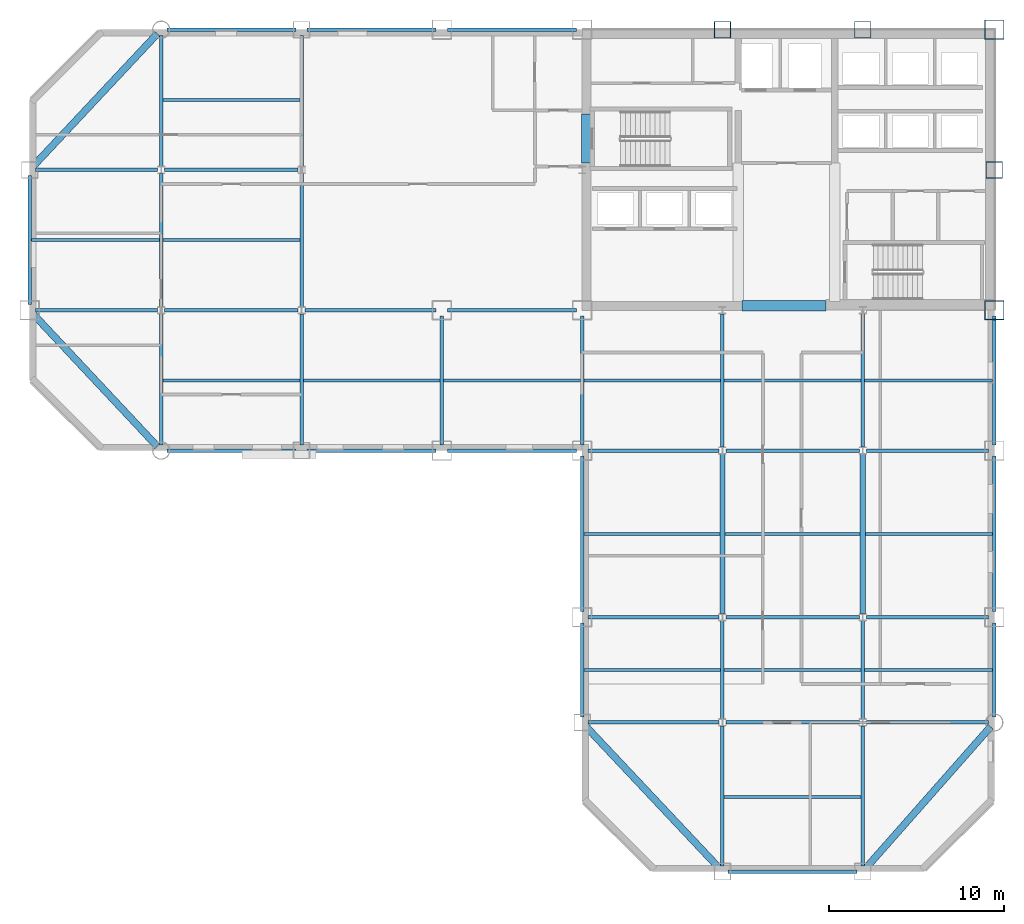
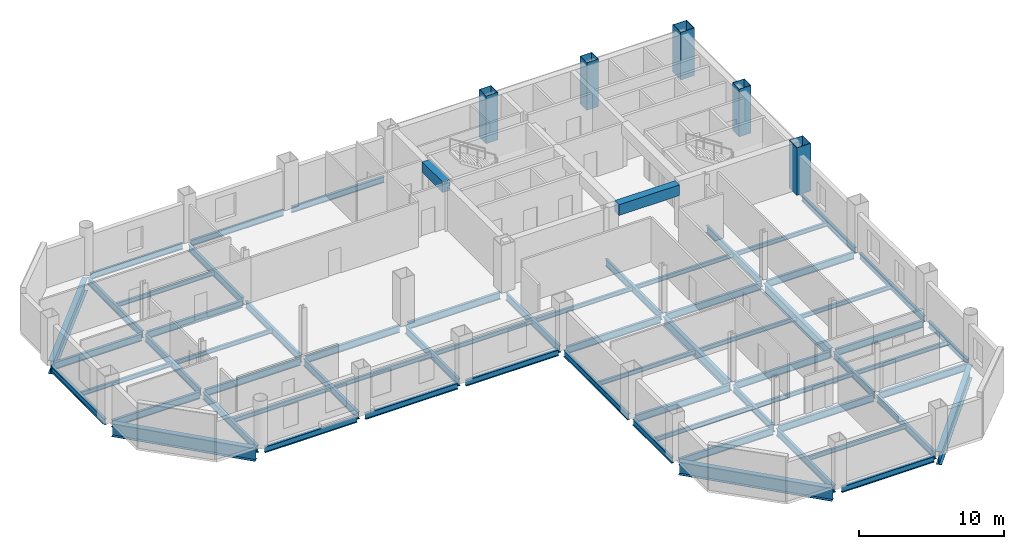
# One storey, part 4 of 10: 66 beams, 5 columns.
"""IFC4 building model written with IfcOpenShell, lengths in metres."""

from ifc_helpers import new_model, si_unit, direction, frame, origin, origin_2d, place, context, subcontext, project, spatial, rectangle, hollow_rectangle, i_section, extrude, material, material_profile, profile_set, type_object, element, save


model = new_model("IFC4")

# Units and contexts
model_context = context("Model", 3, precision=1e-05, world=origin(), true_north=direction((0.0, 1.0)))
body_context = subcontext(model_context, "Body", "Model", "MODEL_VIEW")
ifc_project = project(units=[si_unit("LENGTHUNIT", "METRE"), si_unit("AREAUNIT", "SQUARE_METRE"), si_unit("VOLUMEUNIT", "CUBIC_METRE"), si_unit("PLANEANGLEUNIT", "RADIAN"), si_unit("MASSUNIT", "GRAM", prefix="KILO")], contexts=[model_context])

# Site, building, storey
site_placement = place(None, origin())
site = spatial("IfcSite", under=ifc_project, at=site_placement, CompositionType="ELEMENT")
building_placement = place(site_placement, origin())
building = spatial("IfcBuilding", under=site, at=building_placement, Name="Qianrong Seaharbour Tower", CompositionType="ELEMENT")
storey_placement = place(building_placement, frame((0.0, 0.0, 159.0)))
storey = spatial("IfcBuildingStorey", under=building, at=storey_placement, Name="L38", CompositionType="ELEMENT", Elevation=159.0)

# Columns
ifc_material_1 = material(Name="Structural steel SN490B", Category="steel")
ifc_material_profile_1 = material_profile(ifc_material_1, hollow_rectangle(XDim=1.10009765625, YDim=1.10009765625, WallThickness=0.0400390625, at=origin_2d()), Name="BOX1100x1100x40")
ifc_profile_set_1 = profile_set([ifc_material_profile_1], Name="Structural steel SN490B")
column_type_1 = type_object("IfcColumnType", Name="COL-CFT-1100", PredefinedType="COLUMN", material=ifc_profile_set_1)
for number, where, z_axis, x_axis, name in (
    (1, (64.0, 36.0, 0.0), (0.0, 0.0, 1.0), (1.0, 0.0, 0.0), "L38 Column MC-3 at G9/GF"),
    (2, (64.0, 52.0, 0.0), (0.0, 0.0, 1.0), (1.0, 0.0, 0.0), "L38 Column MC-3 at G9/GH"),
):
    element("IfcColumn", number, at=place(storey_placement, frame(where, z_axis=z_axis, x_axis=x_axis)), inside=storey, type_object=column_type_1, Name=name, PredefinedType="COLUMN", context=body_context, shape_type="SweptSolid", body=[
        extrude(hollow_rectangle(XDim=1.10009765625, YDim=1.10009765625, WallThickness=0.0400390625, at=origin_2d()), origin(), (0.0, 0.0, 1.0), 4.0),
    ])
ifc_material_profile_2 = material_profile(ifc_material_1, hollow_rectangle(XDim=0.949951171875, YDim=0.949951171875, WallThickness=0.035888671875, at=origin_2d()), Name="BOX950x950x36")
ifc_profile_set_2 = profile_set([ifc_material_profile_2], Name="Structural steel SN490B")
column_type_2 = type_object("IfcColumnType", Name="COL-PER-950", PredefinedType="COLUMN", material=ifc_profile_set_2)
for number, where, z_axis, x_axis, name in (
    (3, (48.5, 52.0, 0.0), (0.0, 0.0, 1.0), (1.0, 0.0, 0.0), "L38 Column PC-2 at G7/GH"),
    (4, (56.5, 52.0, 0.0), (0.0, 0.0, 1.0), (1.0, 0.0, 0.0), "L38 Column PC-2 at G8/GH"),
    (5, (64.0, 44.0, 0.0), (0.0, 0.0, 1.0), (1.0, 0.0, 0.0), "L38 Column PC-2 at G9/GG"),
):
    element("IfcColumn", number, at=place(storey_placement, frame(where, z_axis=z_axis, x_axis=x_axis)), inside=storey, type_object=column_type_2, Name=name, PredefinedType="COLUMN", context=body_context, shape_type="SweptSolid", body=[
        extrude(hollow_rectangle(XDim=0.949951171875, YDim=0.949951171875, WallThickness=0.035888671875, at=origin_2d()), origin(), (0.0, 0.0, 1.0), 4.0),
    ])

# Beams
ifc_material_profile_3 = material_profile(ifc_material_1, i_section(OverallWidth=0.199951171875, OverallDepth=0.60009765625, WebThickness=0.010986328125, FlangeThickness=0.01708984375, FilletRadius=0.02197265625, at=origin_2d()), Name="H600x200x11x17")
ifc_profile_set_3 = profile_set([ifc_material_profile_3], Name="Structural steel SN490B")
beam_type_1 = type_object("IfcBeamType", Name="BM-G-600", PredefinedType="BEAM", material=ifc_profile_set_3)
beam_1_placement = place(storey_placement, frame((40.820068359375, 12.5, -0.534912109375), z_axis=(1.0, 0.0, 0.0), x_axis=(0.0, 1.0, 0.0)))
element("IfcBeam", 6, at=beam_1_placement, inside=storey, type_object=beam_type_1, Name="L38 Primary Girder GC G6-G7", PredefinedType="BEAM", context=body_context, shape_type="SweptSolid", body=[
    extrude(i_section(OverallWidth=0.199951171875, OverallDepth=0.60009765625, WebThickness=0.010986328125, FlangeThickness=0.01708984375, FilletRadius=0.02197265625, at=origin_2d()), origin(), (0.0, 0.0, 1.0), 7.47998046875),
])
beam_2_placement = place(storey_placement, frame((48.699951171875, 12.5, -0.534912109375), z_axis=(1.0, 0.0, 0.0), x_axis=(0.0, 1.0, 0.0)))
element("IfcBeam", 7, at=beam_2_placement, inside=storey, type_object=beam_type_1, Name="L38 Primary Girder GC G7-G8", PredefinedType="BEAM", context=body_context, shape_type="SweptSolid", body=[
    extrude(i_section(OverallWidth=0.199951171875, OverallDepth=0.60009765625, WebThickness=0.010986328125, FlangeThickness=0.01708984375, FilletRadius=0.02197265625, at=origin_2d()), origin(), (0.0, 0.0, 1.0), 7.60009765625),
])
beam_3_placement = place(storey_placement, frame((56.699951171875, 12.5, -0.534912109375), z_axis=(1.0, 0.0, 0.0), x_axis=(0.0, 1.0, 0.0)))
element("IfcBeam", 8, at=beam_3_placement, inside=storey, type_object=beam_type_1, Name="L38 Primary Girder GC G8-G9", PredefinedType="BEAM", context=body_context, shape_type="SweptSolid", body=[
    extrude(i_section(OverallWidth=0.199951171875, OverallDepth=0.60009765625, WebThickness=0.010986328125, FlangeThickness=0.01708984375, FilletRadius=0.02197265625, at=origin_2d()), origin(), (0.0, 0.0, 1.0), 6.97998046875),
])
beam_4_placement = place(storey_placement, frame((40.820068359375, 18.5, -0.534912109375), z_axis=(1.0, 0.0, 0.0), x_axis=(0.0, 1.0, 0.0)))
element("IfcBeam", 9, at=beam_4_placement, inside=storey, type_object=beam_type_1, Name="L38 Primary Girder GD G6-G7", PredefinedType="BEAM", context=body_context, shape_type="SweptSolid", body=[
    extrude(i_section(OverallWidth=0.199951171875, OverallDepth=0.60009765625, WebThickness=0.010986328125, FlangeThickness=0.01708984375, FilletRadius=0.02197265625, at=origin_2d()), origin(), (0.0, 0.0, 1.0), 7.47998046875),
])
beam_5_placement = place(storey_placement, frame((48.699951171875, 18.5, -0.534912109375), z_axis=(1.0, 0.0, 0.0), x_axis=(0.0, 1.0, 0.0)))
element("IfcBeam", 10, at=beam_5_placement, inside=storey, type_object=beam_type_1, Name="L38 Primary Girder GD G7-G8", PredefinedType="BEAM", context=body_context, shape_type="SweptSolid", body=[
    extrude(i_section(OverallWidth=0.199951171875, OverallDepth=0.60009765625, WebThickness=0.010986328125, FlangeThickness=0.01708984375, FilletRadius=0.02197265625, at=origin_2d()), origin(), (0.0, 0.0, 1.0), 7.60009765625),
])
beam_6_placement = place(storey_placement, frame((56.699951171875, 18.5, -0.534912109375), z_axis=(1.0, 0.0, 0.0), x_axis=(0.0, 1.0, 0.0)))
element("IfcBeam", 11, at=beam_6_placement, inside=storey, type_object=beam_type_1, Name="L38 Primary Girder GD G8-G9", PredefinedType="BEAM", context=body_context, shape_type="SweptSolid", body=[
    extrude(i_section(OverallWidth=0.199951171875, OverallDepth=0.60009765625, WebThickness=0.010986328125, FlangeThickness=0.01708984375, FilletRadius=0.02197265625, at=origin_2d()), origin(), (0.0, 0.0, 1.0), 6.97998046875),
])
beam_7_placement = place(storey_placement, frame((40.820068359375, 28.0, -0.534912109375), z_axis=(1.0, 0.0, 0.0), x_axis=(0.0, 1.0, 0.0)))
element("IfcBeam", 12, at=beam_7_placement, inside=storey, type_object=beam_type_1, Name="L38 Primary Girder GE G6-G7", PredefinedType="BEAM", context=body_context, shape_type="SweptSolid", body=[
    extrude(i_section(OverallWidth=0.199951171875, OverallDepth=0.60009765625, WebThickness=0.010986328125, FlangeThickness=0.01708984375, FilletRadius=0.02197265625, at=origin_2d()), origin(), (0.0, 0.0, 1.0), 7.47998046875),
])
beam_8_placement = place(storey_placement, frame((48.699951171875, 28.0, -0.534912109375), z_axis=(1.0, 0.0, 0.0), x_axis=(0.0, 1.0, 0.0)))
element("IfcBeam", 13, at=beam_8_placement, inside=storey, type_object=beam_type_1, Name="L38 Primary Girder GE G7-G8", PredefinedType="BEAM", context=body_context, shape_type="SweptSolid", body=[
    extrude(i_section(OverallWidth=0.199951171875, OverallDepth=0.60009765625, WebThickness=0.010986328125, FlangeThickness=0.01708984375, FilletRadius=0.02197265625, at=origin_2d()), origin(), (0.0, 0.0, 1.0), 7.60009765625),
])
for number, where, z_axis, x_axis, name in (
    (14, (56.699951171875, 28.0, -0.534912109375), (1.0, 0.0, 0.0), (0.0, 1.0, 0.0), "L38 Primary Girder GE G8-G9"),
    (15, (9.320068359375, 36.0, -0.534912109375), (1.0, 0.0, 0.0), (0.0, 1.0, 0.0), "L38 Primary Girder GF G2-G3"),
):
    element("IfcBeam", number, at=place(storey_placement, frame(where, z_axis=z_axis, x_axis=x_axis)), inside=storey, type_object=beam_type_1, Name=name, PredefinedType="BEAM", context=body_context, shape_type="SweptSolid", body=[
        extrude(i_section(OverallWidth=0.199951171875, OverallDepth=0.60009765625, WebThickness=0.010986328125, FlangeThickness=0.01708984375, FilletRadius=0.02197265625, at=origin_2d()), origin(), (0.0, 0.0, 1.0), 6.97998046875),
    ])
beam_9_placement = place(storey_placement, frame((16.699951171875, 36.0, -0.534912109375), z_axis=(1.0, 0.0, 0.0), x_axis=(0.0, 1.0, 0.0)))
element("IfcBeam", 16, at=beam_9_placement, inside=storey, type_object=beam_type_1, Name="L38 Primary Girder GF G3-G4", PredefinedType="BEAM", context=body_context, shape_type="SweptSolid", body=[
    extrude(i_section(OverallWidth=0.199951171875, OverallDepth=0.60009765625, WebThickness=0.010986328125, FlangeThickness=0.01708984375, FilletRadius=0.02197265625, at=origin_2d()), origin(), (0.0, 0.0, 1.0), 7.60009765625),
])
beam_10_placement = place(storey_placement, frame((24.699951171875, 36.0, -0.534912109375), z_axis=(1.0, 0.0, 0.0), x_axis=(0.0, 1.0, 0.0)))
element("IfcBeam", 17, at=beam_10_placement, inside=storey, type_object=beam_type_1, Name="L38 Primary Girder GF G4-G5", PredefinedType="BEAM", context=body_context, shape_type="SweptSolid", body=[
    extrude(i_section(OverallWidth=0.199951171875, OverallDepth=0.60009765625, WebThickness=0.010986328125, FlangeThickness=0.01708984375, FilletRadius=0.02197265625, at=origin_2d()), origin(), (0.0, 0.0, 1.0), 7.47998046875),
])
beam_11_placement = place(storey_placement, frame((32.820068359375, 36.0, -0.534912109375), z_axis=(1.0, 0.0, 0.0), x_axis=(0.0, 1.0, 0.0)))
element("IfcBeam", 18, at=beam_11_placement, inside=storey, type_object=beam_type_1, Name="L38 Primary Girder GF G5-G6", PredefinedType="BEAM", context=body_context, shape_type="SweptSolid", body=[
    extrude(i_section(OverallWidth=0.199951171875, OverallDepth=0.60009765625, WebThickness=0.010986328125, FlangeThickness=0.01708984375, FilletRadius=0.02197265625, at=origin_2d()), origin(), (0.0, 0.0, 1.0), 7.35986328125),
])
beam_12_placement = place(storey_placement, frame((9.320068359375, 44.0, -0.534912109375), z_axis=(1.0, 0.0, 0.0), x_axis=(0.0, 1.0, 0.0)))
element("IfcBeam", 19, at=beam_12_placement, inside=storey, type_object=beam_type_1, Name="L38 Primary Girder GG G2-G3", PredefinedType="BEAM", context=body_context, shape_type="SweptSolid", body=[
    extrude(i_section(OverallWidth=0.199951171875, OverallDepth=0.60009765625, WebThickness=0.010986328125, FlangeThickness=0.01708984375, FilletRadius=0.02197265625, at=origin_2d()), origin(), (0.0, 0.0, 1.0), 6.97998046875),
])
beam_13_placement = place(storey_placement, frame((16.699951171875, 44.0, -0.534912109375), z_axis=(1.0, 0.0, 0.0), x_axis=(0.0, 1.0, 0.0)))
element("IfcBeam", 20, at=beam_13_placement, inside=storey, type_object=beam_type_1, Name="L38 Primary Girder GG G3-G4", PredefinedType="BEAM", context=body_context, shape_type="SweptSolid", body=[
    extrude(i_section(OverallWidth=0.199951171875, OverallDepth=0.60009765625, WebThickness=0.010986328125, FlangeThickness=0.01708984375, FilletRadius=0.02197265625, at=origin_2d()), origin(), (0.0, 0.0, 1.0), 7.60009765625),
])
beam_14_placement = place(storey_placement, frame((16.5, 28.320068359375, -0.534912109375), z_axis=(0.0, 1.0, 0.0), x_axis=(-1.0, 0.0, 0.0)))
element("IfcBeam", 21, at=beam_14_placement, inside=storey, type_object=beam_type_1, Name="L38 Primary Girder G3 GE-GF", PredefinedType="BEAM", context=body_context, shape_type="SweptSolid", body=[
    extrude(i_section(OverallWidth=0.199951171875, OverallDepth=0.60009765625, WebThickness=0.010986328125, FlangeThickness=0.01708984375, FilletRadius=0.02197265625, at=origin_2d()), origin(), (0.0, 0.0, 1.0), 7.47998046875),
])
beam_15_placement = place(storey_placement, frame((16.5, 36.199951171875, -0.534912109375), z_axis=(0.0, 1.0, 0.0), x_axis=(-1.0, 0.0, 0.0)))
element("IfcBeam", 22, at=beam_15_placement, inside=storey, type_object=beam_type_1, Name="L38 Primary Girder G3 GF-GG", PredefinedType="BEAM", context=body_context, shape_type="SweptSolid", body=[
    extrude(i_section(OverallWidth=0.199951171875, OverallDepth=0.60009765625, WebThickness=0.010986328125, FlangeThickness=0.01708984375, FilletRadius=0.02197265625, at=origin_2d()), origin(), (0.0, 0.0, 1.0), 7.60009765625),
])
for number, where, z_axis, x_axis, name in (
    (23, (16.5, 44.199951171875, -0.534912109375), (0.0, 1.0, 0.0), (-1.0, 0.0, 0.0), "L38 Primary Girder G3 GG-GH"),
    (24, (24.5, 28.320068359375, -0.534912109375), (0.0, 1.0, 0.0), (-1.0, 0.0, 0.0), "L38 Primary Girder G4 GE-GF"),
):
    element("IfcBeam", number, at=place(storey_placement, frame(where, z_axis=z_axis, x_axis=x_axis)), inside=storey, type_object=beam_type_1, Name=name, PredefinedType="BEAM", context=body_context, shape_type="SweptSolid", body=[
        extrude(i_section(OverallWidth=0.199951171875, OverallDepth=0.60009765625, WebThickness=0.010986328125, FlangeThickness=0.01708984375, FilletRadius=0.02197265625, at=origin_2d()), origin(), (0.0, 0.0, 1.0), 7.47998046875),
    ])
beam_16_placement = place(storey_placement, frame((24.5, 36.199951171875, -0.534912109375), z_axis=(0.0, 1.0, 0.0), x_axis=(-1.0, 0.0, 0.0)))
element("IfcBeam", 25, at=beam_16_placement, inside=storey, type_object=beam_type_1, Name="L38 Primary Girder G4 GF-GG", PredefinedType="BEAM", context=body_context, shape_type="SweptSolid", body=[
    extrude(i_section(OverallWidth=0.199951171875, OverallDepth=0.60009765625, WebThickness=0.010986328125, FlangeThickness=0.01708984375, FilletRadius=0.02197265625, at=origin_2d()), origin(), (0.0, 0.0, 1.0), 7.60009765625),
])
beam_17_placement = place(storey_placement, frame((24.5, 44.199951171875, -0.534912109375), z_axis=(0.0, 1.0, 0.0), x_axis=(-1.0, 0.0, 0.0)))
element("IfcBeam", 26, at=beam_17_placement, inside=storey, type_object=beam_type_1, Name="L38 Primary Girder G4 GG-GH", PredefinedType="BEAM", context=body_context, shape_type="SweptSolid", body=[
    extrude(i_section(OverallWidth=0.199951171875, OverallDepth=0.60009765625, WebThickness=0.010986328125, FlangeThickness=0.01708984375, FilletRadius=0.02197265625, at=origin_2d()), origin(), (0.0, 0.0, 1.0), 7.47998046875),
])
for number, where, z_axis, x_axis, name in (
    (27, (32.5, 28.320068359375, -0.534912109375), (0.0, 1.0, 0.0), (-1.0, 0.0, 0.0), "L38 Primary Girder G5 GE-GF"),
    (28, (40.5, 28.320068359375, -0.534912109375), (0.0, 1.0, 0.0), (-1.0, 0.0, 0.0), "L38 Primary Girder G6 GE-GF"),
):
    element("IfcBeam", number, at=place(storey_placement, frame(where, z_axis=z_axis, x_axis=x_axis)), inside=storey, type_object=beam_type_1, Name=name, PredefinedType="BEAM", context=body_context, shape_type="SweptSolid", body=[
        extrude(i_section(OverallWidth=0.199951171875, OverallDepth=0.60009765625, WebThickness=0.010986328125, FlangeThickness=0.01708984375, FilletRadius=0.02197265625, at=origin_2d()), origin(), (0.0, 0.0, 1.0), 7.35986328125),
    ])
beam_18_placement = place(storey_placement, frame((48.5, 4.320068359375, -0.534912109375), z_axis=(0.0, 1.0, 0.0), x_axis=(-1.0, 0.0, 0.0)))
element("IfcBeam", 29, at=beam_18_placement, inside=storey, type_object=beam_type_1, Name="L38 Primary Girder G7 GB-GC", PredefinedType="BEAM", context=body_context, shape_type="SweptSolid", body=[
    extrude(i_section(OverallWidth=0.199951171875, OverallDepth=0.60009765625, WebThickness=0.010986328125, FlangeThickness=0.01708984375, FilletRadius=0.02197265625, at=origin_2d()), origin(), (0.0, 0.0, 1.0), 7.97998046875),
])
beam_19_placement = place(storey_placement, frame((48.5, 12.699951171875, -0.534912109375), z_axis=(0.0, 1.0, 0.0), x_axis=(-1.0, 0.0, 0.0)))
element("IfcBeam", 30, at=beam_19_placement, inside=storey, type_object=beam_type_1, Name="L38 Primary Girder G7 GC-GD", PredefinedType="BEAM", context=body_context, shape_type="SweptSolid", body=[
    extrude(i_section(OverallWidth=0.199951171875, OverallDepth=0.60009765625, WebThickness=0.010986328125, FlangeThickness=0.01708984375, FilletRadius=0.02197265625, at=origin_2d()), origin(), (0.0, 0.0, 1.0), 5.60009765625),
])
beam_20_placement = place(storey_placement, frame((48.5, 28.199951171875, -0.534912109375), z_axis=(0.0, 1.0, 0.0), x_axis=(-1.0, 0.0, 0.0)))
element("IfcBeam", 31, at=beam_20_placement, inside=storey, type_object=beam_type_1, Name="L38 Primary Girder G7 GE-GF", PredefinedType="BEAM", context=body_context, shape_type="SweptSolid", body=[
    extrude(i_section(OverallWidth=0.199951171875, OverallDepth=0.60009765625, WebThickness=0.010986328125, FlangeThickness=0.01708984375, FilletRadius=0.02197265625, at=origin_2d()), origin(), (0.0, 0.0, 1.0), 7.60009765625),
])
beam_21_placement = place(storey_placement, frame((56.5, 4.320068359375, -0.534912109375), z_axis=(0.0, 1.0, 0.0), x_axis=(-1.0, 0.0, 0.0)))
element("IfcBeam", 32, at=beam_21_placement, inside=storey, type_object=beam_type_1, Name="L38 Primary Girder G8 GB-GC", PredefinedType="BEAM", context=body_context, shape_type="SweptSolid", body=[
    extrude(i_section(OverallWidth=0.199951171875, OverallDepth=0.60009765625, WebThickness=0.010986328125, FlangeThickness=0.01708984375, FilletRadius=0.02197265625, at=origin_2d()), origin(), (0.0, 0.0, 1.0), 7.97998046875),
])
beam_22_placement = place(storey_placement, frame((56.5, 12.699951171875, -0.534912109375), z_axis=(0.0, 1.0, 0.0), x_axis=(-1.0, 0.0, 0.0)))
element("IfcBeam", 33, at=beam_22_placement, inside=storey, type_object=beam_type_1, Name="L38 Primary Girder G8 GC-GD", PredefinedType="BEAM", context=body_context, shape_type="SweptSolid", body=[
    extrude(i_section(OverallWidth=0.199951171875, OverallDepth=0.60009765625, WebThickness=0.010986328125, FlangeThickness=0.01708984375, FilletRadius=0.02197265625, at=origin_2d()), origin(), (0.0, 0.0, 1.0), 5.60009765625),
])
beam_23_placement = place(storey_placement, frame((56.5, 28.199951171875, -0.534912109375), z_axis=(0.0, 1.0, 0.0), x_axis=(-1.0, 0.0, 0.0)))
element("IfcBeam", 34, at=beam_23_placement, inside=storey, type_object=beam_type_1, Name="L38 Primary Girder G8 GE-GF", PredefinedType="BEAM", context=body_context, shape_type="SweptSolid", body=[
    extrude(i_section(OverallWidth=0.199951171875, OverallDepth=0.60009765625, WebThickness=0.010986328125, FlangeThickness=0.01708984375, FilletRadius=0.02197265625, at=origin_2d()), origin(), (0.0, 0.0, 1.0), 7.60009765625),
])
ifc_material_profile_4 = material_profile(ifc_material_1, i_section(OverallWidth=0.300048828125, OverallDepth=0.800048828125, WebThickness=0.013916015625, FlangeThickness=0.02587890625, FilletRadius=0.028076171875, at=origin_2d()), Name="H800x300x14x26")
ifc_profile_set_4 = profile_set([ifc_material_profile_4], Name="Structural steel SN490B")
beam_type_2 = type_object("IfcBeamType", Name="BM-G-800", PredefinedType="BEAM", material=ifc_profile_set_4)
for number, where, z_axis, x_axis, name in (
    (35, (48.5, 18.699951171875, -0.635009765625), (0.0, 1.0, 0.0), (-1.0, 0.0, 0.0), "L38 Primary Girder G7 GD-GE"),
    (36, (56.5, 18.699951171875, -0.635009765625), (0.0, 1.0, 0.0), (-1.0, 0.0, 0.0), "L38 Primary Girder G8 GD-GE"),
):
    element("IfcBeam", number, at=place(storey_placement, frame(where, z_axis=z_axis, x_axis=x_axis)), inside=storey, type_object=beam_type_2, Name=name, PredefinedType="BEAM", context=body_context, shape_type="SweptSolid", body=[
        extrude(i_section(OverallWidth=0.300048828125, OverallDepth=0.800048828125, WebThickness=0.013916015625, FlangeThickness=0.02587890625, FilletRadius=0.028076171875, at=origin_2d()), origin(), (0.0, 0.0, 1.0), 9.10009765625),
    ])
ifc_material_2 = material(Name="Structural steel SN400B", Category="steel")
ifc_material_profile_5 = material_profile(ifc_material_2, i_section(OverallWidth=0.175048828125, OverallDepth=0.35009765625, WebThickness=0.007080078125, FlangeThickness=0.010986328125, FilletRadius=0.013916015625, at=origin_2d()), Name="H350x175x7x11")
ifc_profile_set_5 = profile_set([ifc_material_profile_5], Name="Structural steel SN400B")
beam_type_3 = type_object("IfcBeamType", Name="BM-J-350", PredefinedType="JOIST", material=ifc_profile_set_5)
beam_24_placement = place(storey_placement, frame((9.10009765625, 40.0, -0.409912109375), z_axis=(1.0, 0.0, 0.0), x_axis=(0.0, 1.0, 0.0)))
element("IfcBeam", 37, at=beam_24_placement, inside=storey, type_object=beam_type_3, Name="L38 Composite Floor Joist G2-G3/GF-GG", PredefinedType="JOIST", context=body_context, shape_type="SweptSolid", body=[
    extrude(i_section(OverallWidth=0.175048828125, OverallDepth=0.35009765625, WebThickness=0.007080078125, FlangeThickness=0.010986328125, FilletRadius=0.013916015625, at=origin_2d()), origin(), (0.0, 0.0, 1.0), 7.2998046875),
])
for number, where, z_axis, x_axis, name in (
    (38, (16.60009765625, 32.0, -0.409912109375), (1.0, 0.0, 0.0), (0.0, 1.0, 0.0), "L38 Composite Floor Joist G3-G4/GE-GF"),
    (39, (16.60009765625, 40.0, -0.409912109375), (1.0, 0.0, 0.0), (0.0, 1.0, 0.0), "L38 Composite Floor Joist G3-G4/GF-GG"),
    (40, (16.60009765625, 48.0, -0.409912109375), (1.0, 0.0, 0.0), (0.0, 1.0, 0.0), "L38 Composite Floor Joist G3-G4/GG-GH"),
    (41, (24.60009765625, 32.0, -0.409912109375), (1.0, 0.0, 0.0), (0.0, 1.0, 0.0), "L38 Composite Floor Joist G4-G5/GE-GF"),
    (42, (32.60009765625, 32.0, -0.409912109375), (1.0, 0.0, 0.0), (0.0, 1.0, 0.0), "L38 Composite Floor Joist G5-G6/GE-GF"),
    (43, (40.60009765625, 15.5, -0.409912109375), (1.0, 0.0, 0.0), (0.0, 1.0, 0.0), "L38 Composite Floor Joist G6-G7/GC-GD"),
):
    element("IfcBeam", number, at=place(storey_placement, frame(where, z_axis=z_axis, x_axis=x_axis)), inside=storey, type_object=beam_type_3, Name=name, PredefinedType="JOIST", context=body_context, shape_type="SweptSolid", body=[
        extrude(i_section(OverallWidth=0.175048828125, OverallDepth=0.35009765625, WebThickness=0.007080078125, FlangeThickness=0.010986328125, FilletRadius=0.013916015625, at=origin_2d()), origin(), (0.0, 0.0, 1.0), 7.7998046875),
    ])
beam_25_placement = place(storey_placement, frame((40.60009765625, 23.25, -0.409912109375), z_axis=(1.0, 0.0, 0.0), x_axis=(0.0, 1.0, 0.0)))
element("IfcBeam", 44, at=beam_25_placement, inside=storey, type_object=beam_type_3, Name="L38 Composite Floor Joist G6-G7/GD-GE", PredefinedType="JOIST", context=body_context, shape_type="SweptSolid", body=[
    extrude(i_section(OverallWidth=0.175048828125, OverallDepth=0.35009765625, WebThickness=0.007080078125, FlangeThickness=0.010986328125, FilletRadius=0.013916015625, at=origin_2d()), origin(), (0.0, 0.0, 1.0), 7.75),
])
for number, where, z_axis, x_axis, name in (
    (45, (40.60009765625, 32.0, -0.409912109375), (1.0, 0.0, 0.0), (0.0, 1.0, 0.0), "L38 Composite Floor Joist G6-G7/GE-GF"),
    (46, (48.60009765625, 8.25, -0.409912109375), (1.0, 0.0, 0.0), (0.0, 1.0, 0.0), "L38 Composite Floor Joist G7-G8/GB-GC"),
    (47, (48.60009765625, 15.5, -0.409912109375), (1.0, 0.0, 0.0), (0.0, 1.0, 0.0), "L38 Composite Floor Joist G7-G8/GC-GD"),
):
    element("IfcBeam", number, at=place(storey_placement, frame(where, z_axis=z_axis, x_axis=x_axis)), inside=storey, type_object=beam_type_3, Name=name, PredefinedType="JOIST", context=body_context, shape_type="SweptSolid", body=[
        extrude(i_section(OverallWidth=0.175048828125, OverallDepth=0.35009765625, WebThickness=0.007080078125, FlangeThickness=0.010986328125, FilletRadius=0.013916015625, at=origin_2d()), origin(), (0.0, 0.0, 1.0), 7.7998046875),
    ])
beam_26_placement = place(storey_placement, frame((48.64990234375, 23.25, -0.409912109375), z_axis=(1.0, 0.0, 0.0), x_axis=(0.0, 1.0, 0.0)))
element("IfcBeam", 48, at=beam_26_placement, inside=storey, type_object=beam_type_3, Name="L38 Composite Floor Joist G7-G8/GD-GE", PredefinedType="JOIST", context=body_context, shape_type="SweptSolid", body=[
    extrude(i_section(OverallWidth=0.175048828125, OverallDepth=0.35009765625, WebThickness=0.007080078125, FlangeThickness=0.010986328125, FilletRadius=0.013916015625, at=origin_2d()), origin(), (0.0, 0.0, 1.0), 7.7001953125),
])
beam_27_placement = place(storey_placement, frame((48.60009765625, 32.0, -0.409912109375), z_axis=(1.0, 0.0, 0.0), x_axis=(0.0, 1.0, 0.0)))
element("IfcBeam", 49, at=beam_27_placement, inside=storey, type_object=beam_type_3, Name="L38 Composite Floor Joist G7-G8/GE-GF", PredefinedType="JOIST", context=body_context, shape_type="SweptSolid", body=[
    extrude(i_section(OverallWidth=0.175048828125, OverallDepth=0.35009765625, WebThickness=0.007080078125, FlangeThickness=0.010986328125, FilletRadius=0.013916015625, at=origin_2d()), origin(), (0.0, 0.0, 1.0), 7.7998046875),
])
beam_28_placement = place(storey_placement, frame((56.60009765625, 15.5, -0.409912109375), z_axis=(1.0, 0.0, 0.0), x_axis=(0.0, 1.0, 0.0)))
element("IfcBeam", 50, at=beam_28_placement, inside=storey, type_object=beam_type_3, Name="L38 Composite Floor Joist G8-G9/GC-GD", PredefinedType="JOIST", context=body_context, shape_type="SweptSolid", body=[
    extrude(i_section(OverallWidth=0.175048828125, OverallDepth=0.35009765625, WebThickness=0.007080078125, FlangeThickness=0.010986328125, FilletRadius=0.013916015625, at=origin_2d()), origin(), (0.0, 0.0, 1.0), 7.2998046875),
])
beam_29_placement = place(storey_placement, frame((56.64990234375, 23.25, -0.409912109375), z_axis=(1.0, 0.0, 0.0), x_axis=(0.0, 1.0, 0.0)))
element("IfcBeam", 51, at=beam_29_placement, inside=storey, type_object=beam_type_3, Name="L38 Composite Floor Joist G8-G9/GD-GE", PredefinedType="JOIST", context=body_context, shape_type="SweptSolid", body=[
    extrude(i_section(OverallWidth=0.175048828125, OverallDepth=0.35009765625, WebThickness=0.007080078125, FlangeThickness=0.010986328125, FilletRadius=0.013916015625, at=origin_2d()), origin(), (0.0, 0.0, 1.0), 7.25),
])
beam_30_placement = place(storey_placement, frame((56.60009765625, 32.0, -0.409912109375), z_axis=(1.0, 0.0, 0.0), x_axis=(0.0, 1.0, 0.0)))
element("IfcBeam", 52, at=beam_30_placement, inside=storey, type_object=beam_type_3, Name="L38 Composite Floor Joist G8-G9/GE-GF", PredefinedType="JOIST", context=body_context, shape_type="SweptSolid", body=[
    extrude(i_section(OverallWidth=0.175048828125, OverallDepth=0.35009765625, WebThickness=0.007080078125, FlangeThickness=0.010986328125, FilletRadius=0.013916015625, at=origin_2d()), origin(), (0.0, 0.0, 1.0), 7.2998046875),
])
ifc_material_3 = material(Name="Concrete C70/85", Category="concrete")
ifc_material_profile_6 = material_profile(ifc_material_3, rectangle(XDim=0.60009765625, YDim=0.89990234375, at=origin_2d()), Name="RC600x900")
ifc_profile_set_6 = profile_set([ifc_material_profile_6], Name="Concrete C70/85")
beam_type_4 = type_object("IfcBeamType", Name="BM-LINTEL-900", PredefinedType="LINTEL", material=ifc_profile_set_6)
beam_31_placement = place(storey_placement, frame((40.75, 44.39990234375, 3.31494140625), z_axis=(0.0, 1.0, 0.0), x_axis=(-1.0, 0.0, 0.0)))
element("IfcBeam", 53, at=beam_31_placement, inside=storey, type_object=beam_type_4, Name="L38 Core Coupling Lintel Beam West", PredefinedType="LINTEL", context=body_context, shape_type="SweptSolid", body=[
    extrude(rectangle(XDim=0.60009765625, YDim=0.89990234375, at=origin_2d()), origin(), (0.0, 0.0, 1.0), 2.800048828125),
])
beam_32_placement = place(storey_placement, frame((49.60009765625, 36.25, 3.31494140625), z_axis=(1.0, 0.0, 0.0), x_axis=(0.0, 1.0, 0.0)))
element("IfcBeam", 54, at=beam_32_placement, inside=storey, type_object=beam_type_4, Name="L38 Core Coupling Lintel Beam CBC", PredefinedType="LINTEL", context=body_context, shape_type="SweptSolid", body=[
    extrude(rectangle(XDim=0.60009765625, YDim=0.89990234375, at=origin_2d()), origin(), (0.0, 0.0, 1.0), 4.7998046875),
])
ifc_material_profile_7 = material_profile(ifc_material_1, i_section(OverallWidth=0.199951171875, OverallDepth=0.5, WebThickness=0.010009765625, FlangeThickness=0.01611328125, FilletRadius=0.02001953125, at=origin_2d()), Name="H500x200x10x16")
ifc_profile_set_7 = profile_set([ifc_material_profile_7], Name="Structural steel SN490B")
beam_type_5 = type_object("IfcBeamType", Name="BM-SP-500", PredefinedType="SPANDREL", material=ifc_profile_set_7)
for number, where, z_axis, x_axis, name in (
    (55, (48.820068359375, 4.0, -0.485107421875), (1.0, 0.0, 0.0), (0.0, 1.0, 0.0), "L38 Spandrel Girder GB G7-G8"),
    (56, (16.820068359375, 28.0, -0.485107421875), (1.0, 0.0, 0.0), (0.0, 1.0, 0.0), "L38 Spandrel Girder GE G3-G4"),
    (57, (24.820068359375, 28.0, -0.485107421875), (1.0, 0.0, 0.0), (0.0, 1.0, 0.0), "L38 Spandrel Girder GE G4-G5"),
    (58, (32.820068359375, 28.0, -0.485107421875), (1.0, 0.0, 0.0), (0.0, 1.0, 0.0), "L38 Spandrel Girder GE G5-G6"),
    (59, (16.820068359375, 52.0, -0.485107421875), (1.0, 0.0, 0.0), (0.0, 1.0, 0.0), "L38 Spandrel Girder GH G3-G4"),
    (60, (24.820068359375, 52.0, -0.485107421875), (1.0, 0.0, 0.0), (0.0, 1.0, 0.0), "L38 Spandrel Girder GH G4-G5"),
    (61, (32.820068359375, 52.0, -0.485107421875), (1.0, 0.0, 0.0), (0.0, 1.0, 0.0), "L38 Spandrel Girder GH G5-G6"),
    (62, (9.0, 36.320068359375, -0.485107421875), (0.0, 1.0, 0.0), (-1.0, 0.0, 0.0), "L38 Spandrel Girder G2 GF-GG"),
):
    element("IfcBeam", number, at=place(storey_placement, frame(where, z_axis=z_axis, x_axis=x_axis)), inside=storey, type_object=beam_type_5, Name=name, PredefinedType="SPANDREL", context=body_context, shape_type="SweptSolid", body=[
        extrude(i_section(OverallWidth=0.199951171875, OverallDepth=0.5, WebThickness=0.010009765625, FlangeThickness=0.01611328125, FilletRadius=0.02001953125, at=origin_2d()), origin(), (0.0, 0.0, 1.0), 7.35986328125),
    ])
beam_33_placement = place(storey_placement, frame((40.5, 12.820068359375, -0.485107421875), z_axis=(0.0, 1.0, 0.0), x_axis=(-1.0, 0.0, 0.0)))
element("IfcBeam", 63, at=beam_33_placement, inside=storey, type_object=beam_type_5, Name="L38 Spandrel Girder G6 GC-GD", PredefinedType="SPANDREL", context=body_context, shape_type="SweptSolid", body=[
    extrude(i_section(OverallWidth=0.199951171875, OverallDepth=0.5, WebThickness=0.010009765625, FlangeThickness=0.01611328125, FilletRadius=0.02001953125, at=origin_2d()), origin(), (0.0, 0.0, 1.0), 5.35986328125),
])
beam_34_placement = place(storey_placement, frame((40.5, 18.820068359375, -0.485107421875), z_axis=(0.0, 1.0, 0.0), x_axis=(-1.0, 0.0, 0.0)))
element("IfcBeam", 64, at=beam_34_placement, inside=storey, type_object=beam_type_5, Name="L38 Spandrel Girder G6 GD-GE", PredefinedType="SPANDREL", context=body_context, shape_type="SweptSolid", body=[
    extrude(i_section(OverallWidth=0.199951171875, OverallDepth=0.5, WebThickness=0.010009765625, FlangeThickness=0.01611328125, FilletRadius=0.02001953125, at=origin_2d()), origin(), (0.0, 0.0, 1.0), 8.85986328125),
])
beam_35_placement = place(storey_placement, frame((64.0, 12.820068359375, -0.485107421875), z_axis=(0.0, 1.0, 0.0), x_axis=(-1.0, 0.0, 0.0)))
element("IfcBeam", 65, at=beam_35_placement, inside=storey, type_object=beam_type_5, Name="L38 Spandrel Girder G9 GC-GD", PredefinedType="SPANDREL", context=body_context, shape_type="SweptSolid", body=[
    extrude(i_section(OverallWidth=0.199951171875, OverallDepth=0.5, WebThickness=0.010009765625, FlangeThickness=0.01611328125, FilletRadius=0.02001953125, at=origin_2d()), origin(), (0.0, 0.0, 1.0), 5.35986328125),
])
beam_36_placement = place(storey_placement, frame((64.0, 18.820068359375, -0.485107421875), z_axis=(0.0, 1.0, 0.0), x_axis=(-1.0, 0.0, 0.0)))
element("IfcBeam", 66, at=beam_36_placement, inside=storey, type_object=beam_type_5, Name="L38 Spandrel Girder G9 GD-GE", PredefinedType="SPANDREL", context=body_context, shape_type="SweptSolid", body=[
    extrude(i_section(OverallWidth=0.199951171875, OverallDepth=0.5, WebThickness=0.010009765625, FlangeThickness=0.01611328125, FilletRadius=0.02001953125, at=origin_2d()), origin(), (0.0, 0.0, 1.0), 8.85986328125),
])
beam_37_placement = place(storey_placement, frame((64.0, 28.320068359375, -0.485107421875), z_axis=(0.0, 1.0, 0.0), x_axis=(-1.0, 0.0, 0.0)))
element("IfcBeam", 67, at=beam_37_placement, inside=storey, type_object=beam_type_5, Name="L38 Spandrel Girder G9 GE-GF", PredefinedType="SPANDREL", context=body_context, shape_type="SweptSolid", body=[
    extrude(i_section(OverallWidth=0.199951171875, OverallDepth=0.5, WebThickness=0.010009765625, FlangeThickness=0.01611328125, FilletRadius=0.02001953125, at=origin_2d()), origin(), (0.0, 0.0, 1.0), 7.35986328125),
])
ifc_material_profile_8 = material_profile(ifc_material_1, i_section(OverallWidth=0.39990234375, OverallDepth=1.10009765625, WebThickness=0.02001953125, FlangeThickness=0.035888671875, at=origin_2d()), Name="BH1100x400x20x36")
ifc_profile_set_8 = profile_set([ifc_material_profile_8], Name="Structural steel SN490B")
beam_type_6 = type_object("IfcBeamType", Name="BM-TG-1100", PredefinedType="BEAM", material=ifc_profile_set_8)
for number, where, z_axis, x_axis, name in (
    (68, (16.28125, 28.2333984375, -0.784912109375), (-0.683947420573, 0.729531305628, 0.0), (-0.729531305628, -0.683947420573, 0.0), "L38 Chamfer Corner Spandrel Girder G2/GE"),
    (69, (16.28125, 51.7666015625, -0.784912109375), (-0.683947420573, -0.729531305628, 0.0), (0.729531305628, -0.683947420573, 0.0), "L38 Chamfer Corner Spandrel Girder G2/GH"),
):
    element("IfcBeam", number, at=place(storey_placement, frame(where, z_axis=z_axis, x_axis=x_axis)), inside=storey, type_object=beam_type_6, Name=name, PredefinedType="BEAM", context=body_context, shape_type="SweptSolid", body=[
        extrude(i_section(OverallWidth=0.39990234375, OverallDepth=1.10009765625, WebThickness=0.02001953125, FlangeThickness=0.035888671875, at=origin_2d()), origin(), (0.0, 0.0, 1.0), 10.326171875),
    ])
beam_38_placement = place(storey_placement, frame((48.28076171875, 4.23291015625, -0.784912109375), z_axis=(-0.685361938021, 0.728202591256, 0.0), x_axis=(-0.728202591256, -0.685361938021, 0.0)))
element("IfcBeam", 70, at=beam_38_placement, inside=storey, type_object=beam_type_6, Name="L38 Chamfer Corner Spandrel Girder G6/GB", PredefinedType="BEAM", context=body_context, shape_type="SweptSolid", body=[
    extrude(i_section(OverallWidth=0.39990234375, OverallDepth=1.10009765625, WebThickness=0.02001953125, FlangeThickness=0.035888671875, at=origin_2d()), origin(), (0.0, 0.0, 1.0), 11.032958984375),
])
beam_39_placement = place(storey_placement, frame((56.711669921875, 4.239990234375, -0.784912109375), z_axis=(0.661630696334, 0.749829861815, 0.0), x_axis=(-0.749829861815, 0.661630696334, 0.0)))
element("IfcBeam", 71, at=beam_39_placement, inside=storey, type_object=beam_type_6, Name="L38 Chamfer Corner Spandrel Girder G9/GB", PredefinedType="BEAM", context=body_context, shape_type="SweptSolid", body=[
    extrude(i_section(OverallWidth=0.39990234375, OverallDepth=1.10009765625, WebThickness=0.02001953125, FlangeThickness=0.035888671875, at=origin_2d()), origin(), (0.0, 0.0, 1.0), 10.69580078125),
])

save(model, "model.ifc")
